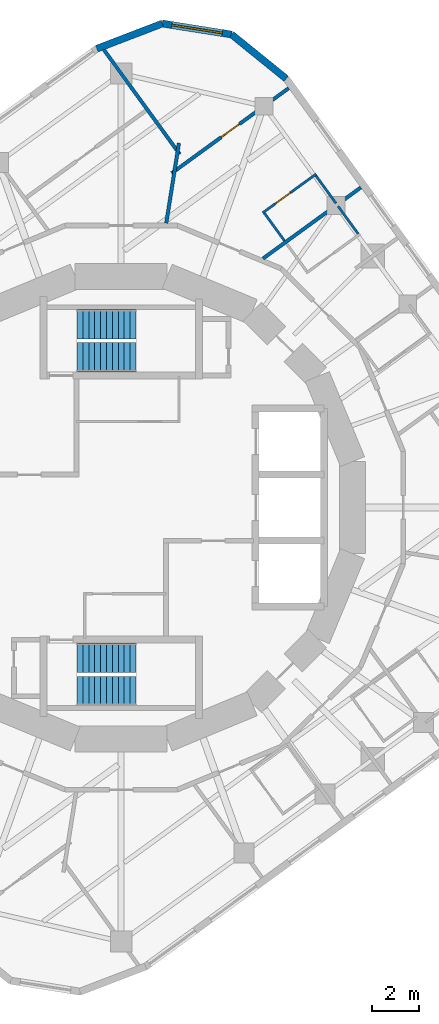
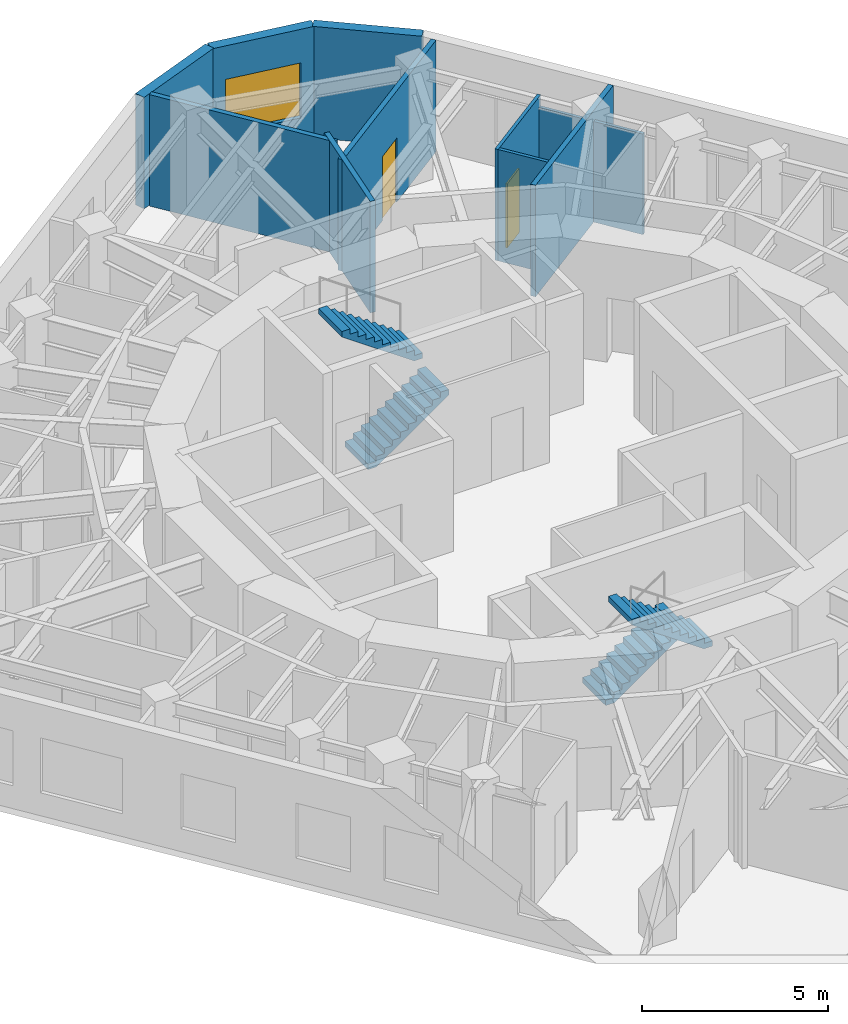
# One storey, part 8 of 9: 11 walls, 4 stair flights, 2 doors, 1 window, 3 openings, 2 elements without a shape of their own.
"""IFC4 building model written with IfcOpenShell, lengths in metres."""

import ifcopenshell
import ifcopenshell.guid

model = None  # the IFC model being written
_history = None  # IfcOwnerHistory: only IFC2X3 demands one
_inside = {}  # id of a spatial element -> (the spatial element, [elements in it])
_under = {}  # id of a project, library or spatial element -> (it, [spatial elements below it])
_declared = {}  # id of a project -> (the project, [libraries it declares])
_typed = {}  # id of a type object -> (the type object, [elements of that type])
_made_of = {}  # id of a material, layer set ... -> (it, [elements and type objects made of it])


def new_model(schema):
    """Start an empty IFC model of exactly this schema.

    Asked for "IFC4X3", IfcOpenShell would pick the latest addendum, in which some entities
    have other attributes; the version numbers below select the first issue.
    IFC2X3 requires an IfcOwnerHistory on every rooted entity: one is made here for all.
    """
    global model, _history
    if schema == "IFC4X3":
        model = ifcopenshell.file(schema_version=(4, 3, 0, 0))
    else:
        model = ifcopenshell.file(schema=schema)
    _inside.clear()
    _under.clear()
    _declared.clear()
    _typed.clear()
    _made_of.clear()
    _history = None
    if model.schema == "IFC2X3":
        org = make("IfcOrganization", Name="unknown")
        user = make(
            "IfcPersonAndOrganization",
            ThePerson=make("IfcPerson", FamilyName="unknown"),
            TheOrganization=org,
        )
        app = make(
            "IfcApplication",
            ApplicationDeveloper=org,
            Version="unknown",
            ApplicationFullName="unknown",
            ApplicationIdentifier="unknown",
        )
        _history = make(
            "IfcOwnerHistory",
            OwningUser=user,
            OwningApplication=app,
            ChangeAction="ADDED",
            CreationDate=0,
        )
    return model


def make(cls, **values):
    """One entity of the class cls with the attributes given. An attribute that is None is left unset."""
    return model.create_entity(
        cls, **{name: value for name, value in values.items() if value is not None}
    )


def rooted(cls, **values):
    """An entity with a GlobalId (a new one), such as an element, a storey or a relation."""
    return make(cls, GlobalId=ifcopenshell.guid.new(), OwnerHistory=_history, **values)


def si_unit(unit_type, name, prefix=None):
    """IfcSIUnit, for example si_unit("LENGTHUNIT", "METRE", prefix="MILLI")."""
    return make("IfcSIUnit", UnitType=unit_type, Prefix=prefix, Name=name)


def assignment(units):
    """IfcUnitAssignment: the units of a project."""
    return None if units is None else make("IfcUnitAssignment", Units=units)


def point(xyz):
    """IfcCartesianPoint."""
    return None if xyz is None else make("IfcCartesianPoint", Coordinates=xyz)


def direction(xyz):
    """IfcDirection."""
    return None if xyz is None else make("IfcDirection", DirectionRatios=xyz)


def frame(location, z_axis=None, x_axis=None):
    """IfcAxis2Placement3D, a coordinate frame: its origin and axes. An axis left out is left unset."""
    return make(
        "IfcAxis2Placement3D",
        Location=point(location),
        Axis=direction(z_axis),
        RefDirection=direction(x_axis),
    )


def frame_2d(location, x_axis=None):
    """IfcAxis2Placement2D, a coordinate frame in the plane: its origin and x axis."""
    return make(
        "IfcAxis2Placement2D", Location=point(location), RefDirection=direction(x_axis)
    )


def origin():
    """The frame at (0, 0, 0) with its axes left unset."""
    return frame((0.0, 0.0, 0.0))


def place(relative_to, where):
    """IfcLocalPlacement: puts the frame where relative to a parent placement (None: the world)."""
    return make(
        "IfcLocalPlacement", PlacementRelTo=relative_to, RelativePlacement=where
    )


def context(
    kind, dimensions, precision=None, world=None, true_north=None, identifier=None
):
    """IfcGeometricRepresentationContext, for example the 3D "Model" context."""
    return make(
        "IfcGeometricRepresentationContext",
        ContextIdentifier=identifier,
        ContextType=kind,
        CoordinateSpaceDimension=dimensions,
        Precision=precision,
        WorldCoordinateSystem=world,
        TrueNorth=true_north,
    )


def subcontext(parent, identifier, kind, view, scale=None):
    """IfcGeometricRepresentationSubContext, for example "Body" below "Model"."""
    return make(
        "IfcGeometricRepresentationSubContext",
        ContextIdentifier=identifier,
        ContextType=kind,
        ParentContext=parent,
        TargetScale=scale,
        TargetView=view,
    )


def project(units=None, contexts=None):
    """IfcProject with its units and contexts."""
    return rooted(
        "IfcProject",
        Name="project",
        RepresentationContexts=contexts,
        UnitsInContext=assignment(units),
    )


def spatial(cls, under=None, at=None, **own):
    """A site, building, storey or space (cls), placed at a placement, below another one or the project."""
    s = rooted(cls, ObjectPlacement=at, **own)
    if under is not None:
        _under.setdefault(under.id(), (under, []))[1].append(s)
    return s


def polyline(points):
    """IfcPolyline through the points."""
    return make("IfcPolyline", Points=[point(p) for p in points])


def profile(cls, at=None, kind="AREA", **sizes):
    """A parametric profile (cls). Its sizes go by their IFC names, for example OverallWidth=200.0."""
    return make(cls, ProfileType=kind, Position=at, **sizes)


def rectangle(**sizes):
    """IfcRectangleProfileDef."""
    return profile("IfcRectangleProfileDef", **sizes)


def outline(outer, holes=None, kind="AREA"):
    """IfcArbitraryClosedProfileDef: a profile drawn as a closed curve; with holes, ...WithVoids."""
    if holes is None:
        return make("IfcArbitraryClosedProfileDef", ProfileType=kind, OuterCurve=outer)
    return make(
        "IfcArbitraryProfileDefWithVoids",
        ProfileType=kind,
        OuterCurve=outer,
        InnerCurves=holes,
    )


def extrude(swept, where, along, depth):
    """IfcExtrudedAreaSolid: the profile swept, set in the frame where, extruded along a direction by depth."""
    return make(
        "IfcExtrudedAreaSolid",
        SweptArea=swept,
        Position=where,
        ExtrudedDirection=direction(along),
        Depth=depth,
    )


def shape(context_of_items, identifier, shape_type, items):
    """IfcShapeRepresentation: the items that make up one representation, for example the "Body"."""
    return make(
        "IfcShapeRepresentation",
        ContextOfItems=context_of_items,
        RepresentationIdentifier=identifier,
        RepresentationType=shape_type,
        Items=items,
    )


def material(Name=None, Category=None):
    """IfcMaterial."""
    return make("IfcMaterial", Name=Name, Category=Category)


def layer(
    of_material, thickness, ventilated=None, Name=None, Category=None, Priority=None
):
    """IfcMaterialLayer: one layer of a wall or slab, of a material (None: an air gap)."""
    return make(
        "IfcMaterialLayer",
        Material=of_material,
        LayerThickness=thickness,
        IsVentilated=ventilated,
        Name=Name,
        Category=Category,
        Priority=Priority,
    )


def layer_set(layers, Name=None):
    """IfcMaterialLayerSet."""
    return make("IfcMaterialLayerSet", MaterialLayers=layers, LayerSetName=Name)


def made_of(thing, what):
    """Note that an element or type object is made of a material, layer set ...; save() writes the relation."""
    if what is not None:
        _made_of.setdefault(what.id(), (what, []))[1].append(thing)
    return thing


def type_object(cls, material=None, **own):
    """A type object (cls), such as IfcWallType, which elements share."""
    return made_of(rooted(cls, **own), material)


def element(
    cls,
    number,
    at=None,
    inside=None,
    cuts=None,
    type_object=None,
    material=None,
    context=None,
    identifier="Body",
    shape_type=None,
    held_by="IfcProductDefinitionShape",
    body=None,
    shapes=None,
    **own,
):
    """One element of the class cls, such as IfcWall. Its Tag is "e" and its number.

    at: its placement. inside: the storey or other place that contains it. cuts: it is an
    opening in that element (IfcRelVoidsElement). A single representation is given by context,
    identifier, shape_type and body (its items); several are given by shapes. held_by: the class
    of the entity that holds the representations. save() writes the other relations.
    """
    e = rooted(cls, Tag="e%d" % number, ObjectPlacement=at, **own)
    if body is not None:
        shapes = [shape(context, identifier, shape_type, body)]
    if shapes is not None:
        e.Representation = make(held_by, Representations=shapes)
    if inside is not None:
        _inside.setdefault(inside.id(), (inside, []))[1].append(e)
    if cuts is not None:
        rooted(
            "IfcRelVoidsElement", RelatingBuildingElement=cuts, RelatedOpeningElement=e
        )
    if type_object is not None:
        _typed.setdefault(type_object.id(), (type_object, []))[1].append(e)
    return made_of(e, material)


def fill(opening, filler):
    """IfcRelFillsElement: the door or window that sits in an opening."""
    return rooted(
        "IfcRelFillsElement",
        RelatingOpeningElement=opening,
        RelatedBuildingElement=filler,
    )


def aggregate(whole, parts):
    """IfcRelAggregates: a whole, such as a stair, and the parts it consists of."""
    return rooted("IfcRelAggregates", RelatingObject=whole, RelatedObjects=parts)


def save(model, path):
    """Write the relations noted so far, then the file.

    IfcRelAggregates (storeys below a building ...), IfcRelContainedInSpatialStructure (elements
    in a storey), IfcRelDefinesByType, IfcRelAssociatesMaterial and IfcRelDeclares: one each for
    every whole, place, type object, material and project.
    """
    for whole, parts in _under.values():
        aggregate(whole, parts)
    for where, things in _inside.values():
        rooted(
            "IfcRelContainedInSpatialStructure",
            RelatedElements=things,
            RelatingStructure=where,
        )
    for kind, things in _typed.values():
        rooted("IfcRelDefinesByType", RelatedObjects=things, RelatingType=kind)
    for what, things in _made_of.values():
        rooted("IfcRelAssociatesMaterial", RelatedObjects=things, RelatingMaterial=what)
    for by, libraries in _declared.values():
        rooted("IfcRelDeclares", RelatingContext=by, RelatedDefinitions=libraries)
    model.write(path)


model = new_model("IFC4")

# Units and contexts
model_context = context("Model", 3, precision=1e-05, world=origin(), true_north=direction((0.0, 1.0)))
body_context = subcontext(model_context, "Body", "Model", "MODEL_VIEW")
ifc_project = project(units=[si_unit("LENGTHUNIT", "METRE"), si_unit("AREAUNIT", "SQUARE_METRE"), si_unit("VOLUMEUNIT", "CUBIC_METRE"), si_unit("PLANEANGLEUNIT", "RADIAN"), si_unit("MASSUNIT", "GRAM", prefix="KILO")], contexts=[model_context])

# Site, building, storey
site_placement = place(None, origin())
site = spatial("IfcSite", under=ifc_project, at=site_placement, CompositionType="ELEMENT")
building_placement = place(site_placement, origin())
building = spatial("IfcBuilding", under=site, at=building_placement, Name="Nakasero Lantern House", CompositionType="ELEMENT")
storey_placement = place(building_placement, frame((0.0, 0.0, 290.699951171875)))
storey = spatial("IfcBuildingStorey", under=building, at=storey_placement, Name="L71", CompositionType="ELEMENT", Elevation=290.699951171875)

# Wall
ifc_material_1 = material(Name="Blockwork", Category="masonry")
ifc_layer_1 = layer(ifc_material_1, 0.10009765625)
ifc_layer_set_1 = layer_set([ifc_layer_1], Name="En-suite wall 100")
wall_type_1 = type_object("IfcWallType", Name="En-suite wall 100", PredefinedType="PARTITIONING", material=ifc_layer_set_1)
wall_1_placement = place(storey_placement, frame((10.046630859375, 11.6064453125, 0.0), z_axis=(0.0, 0.0, 1.0), x_axis=(-0.587781191743, 0.809019944521, 0.0)))
element("IfcWall", 1, at=wall_1_placement, inside=storey, type_object=wall_type_1, Name="En-suite wall L71 EE0-04", PredefinedType="PARTITIONING", context=body_context, shape_type="SweptSolid", body=[
    extrude(rectangle(XDim=1.449951171875, YDim=0.10009765625, at=frame_2d((0.72509765625, 0.0))), origin(), (0.0, 0.0, 1.0), 3.295166015625),
])

# Wall, opening, door
wall_2_placement = place(storey_placement, frame((5.999755859375, 12.498046875, 0.0), z_axis=(0.0, 0.0, 1.0), x_axis=(0.809011254605, 0.587793152327, 0.0)))
wall_2 = element("IfcWall", 2, at=wall_2_placement, inside=storey, type_object=wall_type_1, Name="En-suite wall L71 ES0-06", PredefinedType="PARTITIONING", context=body_context, shape_type="SweptSolid", body=[
    extrude(rectangle(XDim=2.7998046875, YDim=0.10009765625, at=frame_2d((1.39990234375, 0.0))), origin(), (0.0, 0.0, 1.0), 3.650146484375),
])
opening_1_placement = place(wall_2_placement, frame((0.64990234375, 0.0, 0.0)))
opening_1 = element("IfcOpeningElement", 3, at=opening_1_placement, cuts=wall_2, Name="Opening D02", PredefinedType="OPENING", context=body_context, shape_type="SweptSolid", body=[
    extrude(rectangle(XDim=0.800048828125, YDim=2.10009765625, at=frame_2d((0.39990234375, 1.050048828125))), frame((0.0, 0.070068359375, 0.0), z_axis=(0.0, -1.0, 0.0), x_axis=(1.0, 0.0, 0.0)), (0.0, 0.0, 1.0), 0.14013671875),
])
ifc_material_2 = material(Name="Timber C24", Category="wood")
door_type_1 = type_object("IfcDoorType", Name="En-suite door 800", OperationType="SINGLE_SWING_RIGHT", PredefinedType="DOOR", material=ifc_material_2)
door_1_placement = place(opening_1_placement, origin())
door_1 = element("IfcDoor", 4, at=door_1_placement, inside=storey, type_object=door_type_1, Name="Door L71 DE0-06", OperationType="SINGLE_SWING_LEFT", OverallHeight=2.10009765625, OverallWidth=0.800048828125, PredefinedType="DOOR", context=body_context, shape_type="SweptSolid", body=[
    extrude(rectangle(XDim=0.800048828125, YDim=2.10009765625, at=frame_2d((0.39990234375, 1.050048828125))), frame((0.0, 0.02490234375, 0.0), z_axis=(0.0, -1.0, 0.0), x_axis=(1.0, 0.0, 0.0)), (0.0, 0.0, 1.0), 0.050048828125),
])
fill(opening_1, door_1)

# Walls
wall_3_placement = place(storey_placement, frame((9.106201171875, 12.90087890625, 0.0), z_axis=(0.0, 0.0, 1.0), x_axis=(-0.587781191743, 0.809019944521, 0.0)))
element("IfcWall", 5, at=wall_3_placement, inside=storey, type_object=wall_type_1, Name="En-suite wall L71 EE0-06", PredefinedType="PARTITIONING", context=body_context, shape_type="SweptSolid", body=[
    extrude(rectangle(XDim=1.449951171875, YDim=0.10009765625, at=frame_2d((0.72509765625, 0.0))), origin(), (0.0, 0.0, 1.0), 3.295166015625),
])
wall_4_placement = place(storey_placement, frame((6.921875, 11.313720703125, 0.0), z_axis=(0.0, 0.0, 1.0), x_axis=(-0.587781191743, 0.809019944521, 0.0)))
element("IfcWall", 6, at=wall_4_placement, inside=storey, type_object=wall_type_1, Name="En-suite wall L71 EI0-06", PredefinedType="PARTITIONING", context=body_context, shape_type="SweptSolid", body=[
    extrude(rectangle(XDim=1.449951171875, YDim=0.10009765625, at=frame_2d((0.72509765625, 0.0))), origin(), (0.0, 0.0, 1.0), 3.650146484375),
])
ifc_material_3 = material(Name="Aluminium rainscreen on blockwork", Category="masonry")
ifc_layer_2 = layer(ifc_material_3, 0.300048828125)
ifc_layer_set_2 = layer_set([ifc_layer_2], Name="Facade wall 300")
wall_type_2 = type_object("IfcWallType", Name="Facade wall 300", PredefinedType="SOLIDWALL", material=ifc_layer_set_2)
wall_5_placement = place(storey_placement, frame((6.996826171875, 18.185791015625, 0.0), z_axis=(0.0, 0.0, 1.0), x_axis=(-0.777101588319, 0.629375183362, 0.0)))
element("IfcWall", 7, at=wall_5_placement, inside=storey, type_object=wall_type_2, Name="Facade wall L71 FW0C1", PredefinedType="SOLIDWALL", context=body_context, shape_type="SweptSolid", body=[
    extrude(rectangle(XDim=2.976318359375, YDim=0.300048828125, at=frame_2d((1.48828125, 0.0))), origin(), (0.0, 0.0, 1.0), 3.650146484375),
])

# Wall, opening, window
wall_6_placement = place(storey_placement, frame((4.683837890625, 20.05908203125, 0.0), z_axis=(0.0, 0.0, 1.0), x_axis=(-0.987691704133, 0.156413227021, 0.0)))
wall_6 = element("IfcWall", 8, at=wall_6_placement, inside=storey, type_object=wall_type_2, Name="Facade wall L71 FW0C2", PredefinedType="SOLIDWALL", context=body_context, shape_type="SweptSolid", body=[
    extrude(rectangle(XDim=2.9765625, YDim=0.300048828125, at=frame_2d((1.48828125, 0.0))), origin(), (0.0, 0.0, 1.0), 3.650146484375),
])
opening_2_placement = place(wall_6_placement, frame((0.39990234375, 0.0, 0.75)))
opening_2 = element("IfcOpeningElement", 9, at=opening_2_placement, cuts=wall_6, Name="Opening W221", PredefinedType="OPENING", context=body_context, shape_type="SweptSolid", body=[
    extrude(rectangle(XDim=2.176025390625, YDim=1.800048828125, at=frame_2d((1.087890625, 0.89990234375))), frame((0.0, 0.169921875, 0.0), z_axis=(0.0, -1.0, 0.0), x_axis=(1.0, 0.0, 0.0)), (0.0, 0.0, 1.0), 0.340087890625),
])
ifc_material_4 = material(Name="Aluminium 6063-T6 and glass", Category="aluminium")
window_type = type_object("IfcWindowType", Name="Corner window 2176x1800", PartitioningType="SINGLE_PANEL", PredefinedType="WINDOW", material=ifc_material_4)
window_placement = place(opening_2_placement, origin())
window = element("IfcWindow", 10, at=window_placement, inside=storey, type_object=window_type, Name="Window L71 WC0", OverallHeight=1.800048828125, OverallWidth=2.176025390625, PartitioningType="SINGLE_PANEL", PredefinedType="WINDOW", context=body_context, shape_type="SweptSolid", body=[
    extrude(rectangle(XDim=2.176025390625, YDim=1.800048828125, at=frame_2d((1.087890625, 0.89990234375))), frame((0.0, 0.030029296875, 0.0), z_axis=(0.0, -1.0, 0.0), x_axis=(1.0, 0.0, 0.0)), (0.0, 0.0, 1.0), 0.06005859375),
])
fill(opening_2, window)

# Walls
wall_7_placement = place(storey_placement, frame((1.743896484375, 20.524658203125, 0.0), z_axis=(0.0, 0.0, 1.0), x_axis=(-0.933573745966, -0.35838535244, 0.0)))
element("IfcWall", 11, at=wall_7_placement, inside=storey, type_object=wall_type_2, Name="Facade wall L71 FW0C3", PredefinedType="SOLIDWALL", context=body_context, shape_type="SweptSolid", body=[
    extrude(rectangle(XDim=2.976318359375, YDim=0.300048828125, at=frame_2d((1.48828125, 0.0))), origin(), (0.0, 0.0, 1.0), 3.650146484375),
])
ifc_material_5 = material(Name="Blockwork", Category="masonry")
ifc_layer_3 = layer(ifc_material_5, 0.14990234375)
ifc_layer_set_3 = layer_set([ifc_layer_3], Name="Party wall 150")
wall_type_3 = type_object("IfcWallType", Name="Party wall 150", PredefinedType="PARTITIONING", material=ifc_layer_set_3)
wall_8_placement = place(storey_placement, frame((6.012939453125, 10.560791015625, 0.0), z_axis=(0.0, 0.0, 1.0), x_axis=(0.809020100005, 0.587780977736, 0.0)))
element("IfcWall", 12, at=wall_8_placement, inside=storey, type_object=wall_type_3, Name="Party wall L71 PW0-06", PredefinedType="PARTITIONING", context=body_context, shape_type="SweptSolid", body=[
    extrude(rectangle(XDim=5.1279296875, YDim=0.14990234375, at=frame_2d((2.56396484375, 0.0))), origin(), (0.0, 0.0, 1.0), 3.650146484375),
])

# Wall, opening, door
wall_9_placement = place(storey_placement, frame((2.137939453125, 14.1767578125, 0.0), z_axis=(0.0, 0.0, 1.0), x_axis=(0.809024975628, 0.587774266883, 0.0)))
wall_9 = element("IfcWall", 13, at=wall_9_placement, inside=storey, type_object=wall_type_3, Name="Party wall L71 PW0-07", PredefinedType="PARTITIONING", context=body_context, shape_type="SweptSolid", body=[
    extrude(rectangle(XDim=6.137451171875, YDim=0.14990234375, at=frame_2d((3.06884765625, 0.0))), origin(), (0.0, 0.0, 1.0), 3.650146484375),
])
opening_3_placement = place(wall_9_placement, frame((2.60009765625, 0.0, 0.0)))
opening_3 = element("IfcOpeningElement", 14, at=opening_3_placement, cuts=wall_9, Name="Opening D01", PredefinedType="OPENING", context=body_context, shape_type="SweptSolid", body=[
    extrude(rectangle(XDim=0.949951171875, YDim=2.10009765625, at=frame_2d((0.47509765625, 1.050048828125))), frame((0.0, 0.094970703125, 0.0), z_axis=(0.0, -1.0, 0.0), x_axis=(1.0, 0.0, 0.0)), (0.0, 0.0, 1.0), 0.18994140625),
])
ifc_material_6 = material(Name="Timber C24", Category="wood")
door_type_2 = type_object("IfcDoorType", Name="Bedroom door FD30S 950", OperationType="SINGLE_SWING_LEFT", PredefinedType="DOOR", material=ifc_material_6)
door_2_placement = place(opening_3_placement, origin())
door_2 = element("IfcDoor", 15, at=door_2_placement, inside=storey, type_object=door_type_2, Name="Door L71 DC0", OperationType="SINGLE_SWING_RIGHT", OverallHeight=2.10009765625, OverallWidth=0.949951171875, PredefinedType="DOOR", context=body_context, shape_type="SweptSolid", body=[
    extrude(rectangle(XDim=0.949951171875, YDim=2.10009765625, at=frame_2d((0.47509765625, 1.050048828125))), frame((0.0, 0.02490234375, 0.0), z_axis=(0.0, -1.0, 0.0), x_axis=(1.0, 0.0, 0.0)), (0.0, 0.0, 1.0), 0.050048828125),
])
fill(opening_3, door_2)

# Walls
wall_10_placement = place(storey_placement, frame((1.90966796875, 12.057861328125, 0.0), z_axis=(0.0, 0.0, 1.0), x_axis=(0.156465405864, 0.987683439553, 0.0)))
element("IfcWall", 16, at=wall_10_placement, inside=storey, type_object=wall_type_3, Name="Party wall L71 PD0", PredefinedType="PARTITIONING", context=body_context, shape_type="SweptSolid", body=[
    extrude(rectangle(XDim=3.440673828125, YDim=0.14990234375, at=frame_2d((1.72021484375, 0.0))), origin(), (0.0, 0.0, 1.0), 3.650146484375),
])
wall_11_placement = place(storey_placement, frame((2.48095703125, 14.9853515625, 0.0), z_axis=(0.0, 0.0, 1.0), x_axis=(-0.587775959987, 0.809023745549, 0.0)))
element("IfcWall", 17, at=wall_11_placement, inside=storey, type_object=wall_type_3, Name="Party wall L71 PW1-01", PredefinedType="PARTITIONING", context=body_context, shape_type="SweptSolid", body=[
    extrude(rectangle(XDim=5.466552734375, YDim=0.14990234375, at=frame_2d((2.7333984375, 0.0))), origin(), (0.0, 0.0, 1.0), 3.650146484375),
])

# Stair, stair flights
ifc_material_7 = material(Name="Concrete C40/50", Category="concrete")
stair_type_1 = type_object("IfcStairType", Name="Escape stair ST1 22 risers", PredefinedType="HALF_TURN_STAIR", material=ifc_material_7)
stair_1_placement = place(storey_placement, origin())
stair_1 = element("IfcStair", 18, at=stair_1_placement, inside=storey, type_object=stair_type_1, Name="Escape stair ST1 L71", PredefinedType="HALF_TURN_STAIR")
ifc_material_8 = material(Name="Concrete C40/50", Category="concrete")
stair_flight_type = type_object("IfcStairFlightType", Name="Escape stair flight", PredefinedType="STRAIGHT", material=ifc_material_8)
stair_flight_1_placement = place(storey_placement, frame((-1.875, 6.375, 0.0), z_axis=(0.0, 0.0, 1.0), x_axis=(1.0, 0.0, 0.0)))
stair_flight_1 = element("IfcStairFlight", 19, at=stair_flight_1_placement, type_object=stair_flight_type, Name="ST1 flight 1", NumberOfRisers=11, NumberOfTreads=10, PredefinedType="STRAIGHT", RiserHeight=0.175, TreadLength=0.25, context=body_context, shape_type="SweptSolid", body=[
    extrude(outline(polyline([(0.0, 0.0), (0.0, 0.175048828125), (0.25, 0.175048828125), (0.25, 0.35009765625), (0.5, 0.35009765625), (0.5, 0.52490234375), (0.75, 0.52490234375), (0.75, 0.699951171875), (1.0, 0.699951171875), (1.0, 0.875), (1.25, 0.875), (1.25, 1.050048828125), (1.5, 1.050048828125), (1.5, 1.22509765625), (1.75, 1.22509765625), (1.75, 1.39990234375), (2.0, 1.39990234375), (2.0, 1.574951171875), (2.25, 1.574951171875), (2.25, 1.75), (2.5, 1.75), (2.5, 1.925048828125), (2.5, 1.567138671875), (0.261474609375, 0.0), (0.0, 0.0)])), frame((0.0, 0.625, 0.0), z_axis=(0.0, -1.0, 0.0), x_axis=(1.0, 0.0, 0.0)), (0.0, 0.0, 1.0), 1.25),
])
stair_flight_2_placement = place(storey_placement, frame((0.625, 7.77490234375, 1.925048828125), z_axis=(0.0, 0.0, 1.0), x_axis=(-1.0, 0.0, 0.0)))
stair_flight_2 = element("IfcStairFlight", 20, at=stair_flight_2_placement, type_object=stair_flight_type, Name="ST1 flight 2", NumberOfRisers=11, NumberOfTreads=10, PredefinedType="STRAIGHT", RiserHeight=0.175, TreadLength=0.25, context=body_context, shape_type="SweptSolid", body=[
    extrude(outline(polyline([(0.0, 0.0), (0.0, 0.175048828125), (0.25, 0.175048828125), (0.25, 0.35009765625), (0.5, 0.35009765625), (0.5, 0.52490234375), (0.75, 0.52490234375), (0.75, 0.699951171875), (1.0, 0.699951171875), (1.0, 0.875), (1.25, 0.875), (1.25, 1.050048828125), (1.5, 1.050048828125), (1.5, 1.22509765625), (1.75, 1.22509765625), (1.75, 1.39990234375), (2.0, 1.39990234375), (2.0, 1.574951171875), (2.25, 1.574951171875), (2.25, 1.75), (2.5, 1.75), (2.5, 1.925048828125), (2.5, 1.567138671875), (0.261474609375, 0.0), (0.0, 0.0)])), frame((0.0, 0.625, 0.0), z_axis=(0.0, -1.0, 0.0), x_axis=(1.0, 0.0, 0.0)), (0.0, 0.0, 1.0), 1.25),
])
aggregate(stair_1, [stair_flight_1, stair_flight_2])

ifc_material_9 = material(Name="Concrete C40/50", Category="concrete")
stair_type_2 = type_object("IfcStairType", Name="Escape stair ST2 22 risers", PredefinedType="HALF_TURN_STAIR", material=ifc_material_9)
stair_2_placement = place(storey_placement, origin())
stair_2 = element("IfcStair", 21, at=stair_2_placement, inside=storey, type_object=stair_type_2, Name="Escape stair ST2 L71", PredefinedType="HALF_TURN_STAIR")
stair_flight_3_placement = place(storey_placement, frame((-1.875, -6.375, 0.0), z_axis=(0.0, 0.0, 1.0), x_axis=(1.0, 0.0, 0.0)))
stair_flight_3 = element("IfcStairFlight", 22, at=stair_flight_3_placement, type_object=stair_flight_type, Name="ST2 flight 1", NumberOfRisers=11, NumberOfTreads=10, PredefinedType="STRAIGHT", RiserHeight=0.175, TreadLength=0.25, context=body_context, shape_type="SweptSolid", body=[
    extrude(outline(polyline([(0.0, 0.0), (0.0, 0.175048828125), (0.25, 0.175048828125), (0.25, 0.35009765625), (0.5, 0.35009765625), (0.5, 0.52490234375), (0.75, 0.52490234375), (0.75, 0.699951171875), (1.0, 0.699951171875), (1.0, 0.875), (1.25, 0.875), (1.25, 1.050048828125), (1.5, 1.050048828125), (1.5, 1.22509765625), (1.75, 1.22509765625), (1.75, 1.39990234375), (2.0, 1.39990234375), (2.0, 1.574951171875), (2.25, 1.574951171875), (2.25, 1.75), (2.5, 1.75), (2.5, 1.925048828125), (2.5, 1.567138671875), (0.261474609375, 0.0), (0.0, 0.0)])), frame((0.0, 0.625, 0.0), z_axis=(0.0, -1.0, 0.0), x_axis=(1.0, 0.0, 0.0)), (0.0, 0.0, 1.0), 1.25),
])
stair_flight_4_placement = place(storey_placement, frame((0.625, -7.77490234375, 1.925048828125), z_axis=(0.0, 0.0, 1.0), x_axis=(-1.0, 0.0, 0.0)))
stair_flight_4 = element("IfcStairFlight", 23, at=stair_flight_4_placement, type_object=stair_flight_type, Name="ST2 flight 2", NumberOfRisers=11, NumberOfTreads=10, PredefinedType="STRAIGHT", RiserHeight=0.175, TreadLength=0.25, context=body_context, shape_type="SweptSolid", body=[
    extrude(outline(polyline([(0.0, 0.0), (0.0, 0.175048828125), (0.25, 0.175048828125), (0.25, 0.35009765625), (0.5, 0.35009765625), (0.5, 0.52490234375), (0.75, 0.52490234375), (0.75, 0.699951171875), (1.0, 0.699951171875), (1.0, 0.875), (1.25, 0.875), (1.25, 1.050048828125), (1.5, 1.050048828125), (1.5, 1.22509765625), (1.75, 1.22509765625), (1.75, 1.39990234375), (2.0, 1.39990234375), (2.0, 1.574951171875), (2.25, 1.574951171875), (2.25, 1.75), (2.5, 1.75), (2.5, 1.925048828125), (2.5, 1.567138671875), (0.261474609375, 0.0), (0.0, 0.0)])), frame((0.0, 0.625, 0.0), z_axis=(0.0, -1.0, 0.0), x_axis=(1.0, 0.0, 0.0)), (0.0, 0.0, 1.0), 1.25),
])
aggregate(stair_2, [stair_flight_3, stair_flight_4])

save(model, "model.ifc")
